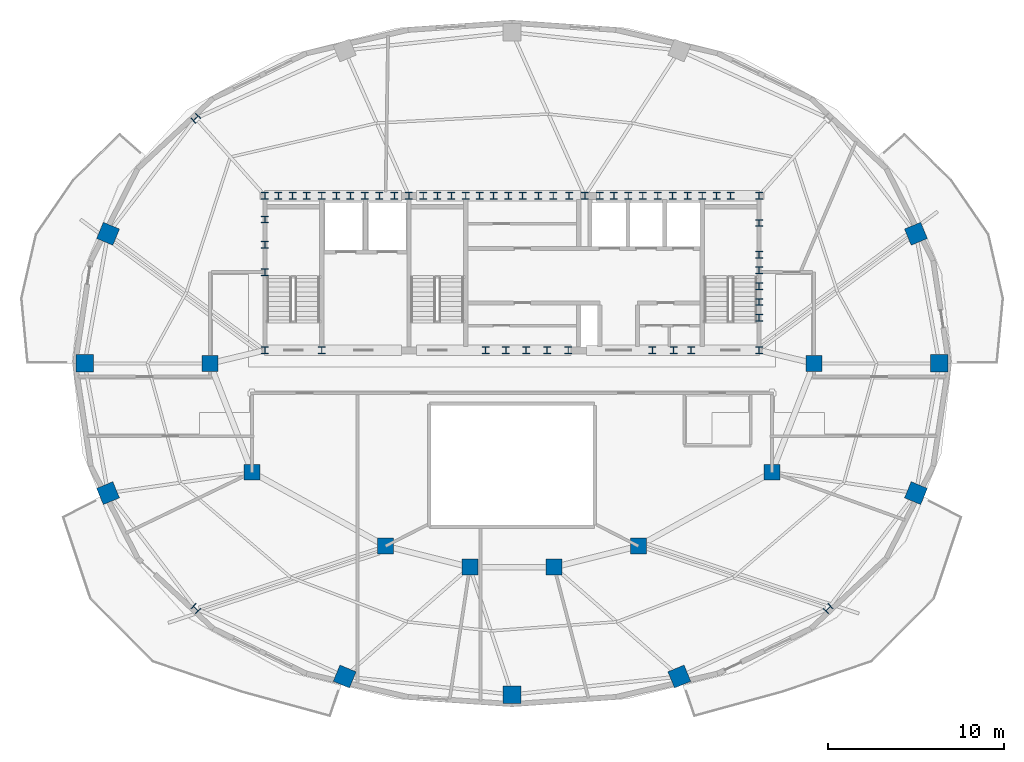
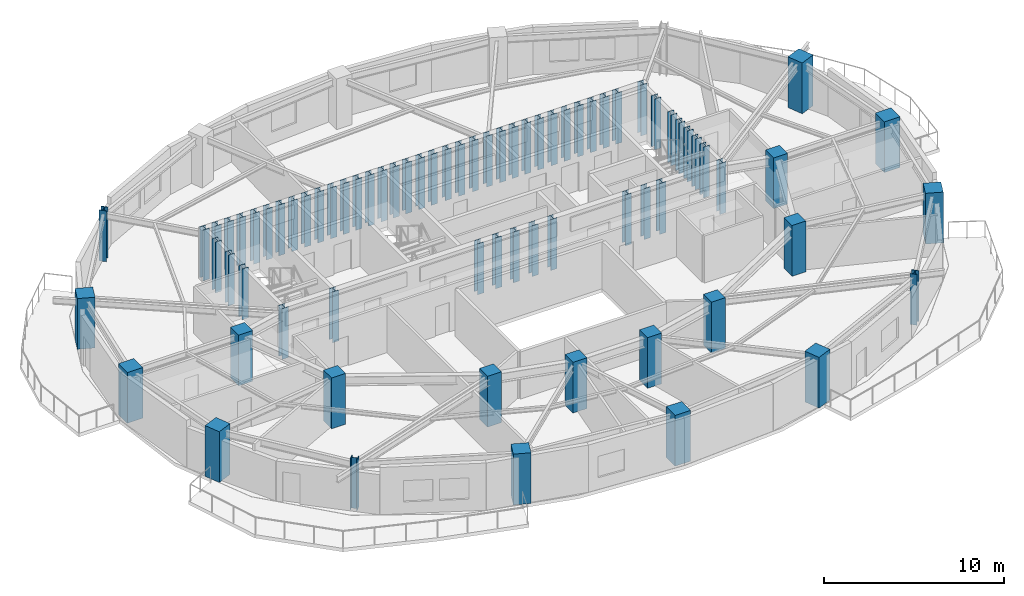
# One storey, part 1 of 10: 74 columns.
"""IFC4 building model written with IfcOpenShell, lengths in metres."""

from ifc_helpers import new_model, si_unit, direction, frame, origin, origin_2d, place, context, subcontext, project, spatial, rectangle, i_section, extrude, material, material_profile, profile_set, type_object, element, save


model = new_model("IFC4")

# Units and contexts
model_context = context("Model", 3, precision=1e-05, world=origin(), true_north=direction((0.0, 1.0)))
body_context = subcontext(model_context, "Body", "Model", "MODEL_VIEW")
ifc_project = project(units=[si_unit("LENGTHUNIT", "METRE"), si_unit("AREAUNIT", "SQUARE_METRE"), si_unit("VOLUMEUNIT", "CUBIC_METRE"), si_unit("PLANEANGLEUNIT", "RADIAN"), si_unit("MASSUNIT", "GRAM", prefix="KILO")], contexts=[model_context])

# Site, building, storey
site_placement = place(None, origin())
site = spatial("IfcSite", under=ifc_project, at=site_placement, CompositionType="ELEMENT")
building_placement = place(site_placement, origin())
building = spatial("IfcBuilding", under=site, at=building_placement, Name="Haldorwick Loom Tower", CompositionType="ELEMENT")
storey_placement = place(building_placement, frame((0.0, 0.0, 259.199951171875)))
storey = spatial("IfcBuildingStorey", under=building, at=storey_placement, Name="L70", CompositionType="ELEMENT", Elevation=259.199951171875)

# Columns
ifc_material_1 = material(Name="Concrete C60 (60 MPa)", Category="concrete")
ifc_material_profile_1 = material_profile(ifc_material_1, rectangle(XDim=1.0, YDim=1.0, at=origin_2d()), Name="RC1000X1000", Category="concrete")
ifc_profile_set_1 = profile_set([ifc_material_profile_1], Name="Concrete C60 (60 MPa)")
column_type_1 = type_object("IfcColumnType", Name="STR-COL-RC1000", PredefinedType="COLUMN", material=ifc_profile_set_1)
for number, where, z_axis, x_axis, name in (
    (1, (60.3369140625, 26.0, 0.0), (0.0, 0.0, 1.0), (1.0, 0.0, 0.0), "L70 Perimeter Pier Column P01"),
    (2, (59.004638671875, 33.3857421875, 0.0), (0.0, 0.0, 1.0), (0.923879532511, 0.382683432365, 0.0), "L70 Perimeter Pier Column P02"),
    (3, (12.995361328125, 33.3857421875, 0.0), (0.0, 0.0, 1.0), (-0.923879532511, 0.382683432365, 0.0), "L70 Perimeter Pier Column P08"),
    (4, (11.6630859375, 26.0, 0.0), (0.0, 0.0, 1.0), (-1.0, 0.0, 0.0), "L70 Perimeter Pier Column P09"),
    (5, (12.995361328125, 18.6142578125, 0.0), (0.0, 0.0, 1.0), (-0.923879532511, -0.382683432365, 0.0), "L70 Perimeter Pier Column P10"),
    (6, (26.47119140625, 8.169189453125, 0.0), (0.0, 0.0, 1.0), (-0.382683432365, -0.923879532511, 0.0), "L70 Perimeter Pier Column P12"),
    (7, (36.0, 7.139892578125, 0.0), (0.0, 0.0, 1.0), (0.0, -1.0, 0.0), "L70 Perimeter Pier Column P13"),
    (8, (45.52880859375, 8.169189453125, 0.0), (0.0, 0.0, 1.0), (0.382683432365, -0.923879532511, 0.0), "L70 Perimeter Pier Column P14"),
    (9, (59.004638671875, 18.6142578125, 0.0), (0.0, 0.0, 1.0), (0.923879532511, -0.382683432365, 0.0), "L70 Perimeter Pier Column P16"),
):
    element("IfcColumn", number, at=place(storey_placement, frame(where, z_axis=z_axis, x_axis=x_axis)), inside=storey, type_object=column_type_1, Name=name, PredefinedType="COLUMN", context=body_context, shape_type="SweptSolid", body=[
        extrude(rectangle(XDim=1.0, YDim=1.0, at=origin_2d()), origin(), (0.0, 0.0, 1.0), 3.449951171875),
    ])
ifc_material_2 = material(Name="Concrete C50 (50 MPa)", Category="concrete")
ifc_material_profile_2 = material_profile(ifc_material_2, rectangle(XDim=0.89990234375, YDim=0.89990234375, at=origin_2d()), Name="RC900X900", Category="concrete")
ifc_profile_set_2 = profile_set([ifc_material_profile_2], Name="Concrete C50 (50 MPa)")
column_type_2 = type_object("IfcColumnType", Name="STR-COL-RC900", PredefinedType="COLUMN", material=ifc_profile_set_2)
for number, where, z_axis, x_axis, name in (
    (10, (53.199951171875, 26.0, 0.0), (0.0, 0.0, 1.0), (1.0, 0.0, 0.0), "L70 Inner Column IC-01"),
    (11, (50.800048828125, 19.800048828125, 0.0), (0.0, 0.0, 1.0), (1.0, 0.0, 0.0), "L70 Inner Column IC-02"),
    (12, (43.199951171875, 15.60009765625, 0.0), (0.0, 0.0, 1.0), (1.0, 0.0, 0.0), "L70 Inner Column IC-03"),
    (13, (38.39990234375, 14.39990234375, 0.0), (0.0, 0.0, 1.0), (1.0, 0.0, 0.0), "L70 Inner Column IC-04"),
    (14, (33.60009765625, 14.39990234375, 0.0), (0.0, 0.0, 1.0), (1.0, 0.0, 0.0), "L70 Inner Column IC-05"),
    (15, (28.800048828125, 15.60009765625, 0.0), (0.0, 0.0, 1.0), (1.0, 0.0, 0.0), "L70 Inner Column IC-06"),
    (16, (21.199951171875, 19.800048828125, 0.0), (0.0, 0.0, 1.0), (1.0, 0.0, 0.0), "L70 Inner Column IC-07"),
    (17, (18.800048828125, 26.0, 0.0), (0.0, 0.0, 1.0), (1.0, 0.0, 0.0), "L70 Inner Column IC-08"),
):
    element("IfcColumn", number, at=place(storey_placement, frame(where, z_axis=z_axis, x_axis=x_axis)), inside=storey, type_object=column_type_2, Name=name, PredefinedType="COLUMN", context=body_context, shape_type="SweptSolid", body=[
        extrude(rectangle(XDim=0.89990234375, YDim=0.89990234375, at=origin_2d()), origin(), (0.0, 0.0, 1.0), 3.449951171875),
    ])
ifc_material_3 = material(Name="Steel CSA G40.21 350W", Category="steel")
ifc_material_profile_3 = material_profile(ifc_material_3, i_section(OverallWidth=0.39892578125, OverallDepth=0.39306640625, WebThickness=0.0185546875, FlangeThickness=0.029541015625, at=origin_2d()), Name="W360X287", Category="steel")
ifc_profile_set_3 = profile_set([ifc_material_profile_3], Name="Steel CSA G40.21 350W")
column_type_3 = type_object("IfcColumnType", Name="STR-COL-W360X287", PredefinedType="COLUMN", material=ifc_profile_set_3)
for number, where, z_axis, x_axis, name in (
    (18, (21.929931640625, 35.550048828125, 0.0), (0.0, 0.0, 1.0), (1.0, 0.0, 0.0), "L70 Core Pilaster CB-01"),
    (19, (23.5, 35.550048828125, 0.0), (0.0, 0.0, 1.0), (1.0, 0.0, 0.0), "L70 Core Pilaster CB-02"),
    (20, (25.169921875, 35.550048828125, 0.0), (0.0, 0.0, 1.0), (1.0, 0.0, 0.0), "L70 Core Pilaster CB-03"),
    (21, (26.800048828125, 35.550048828125, 0.0), (0.0, 0.0, 1.0), (1.0, 0.0, 0.0), "L70 Core Pilaster CB-04"),
    (22, (28.449951171875, 35.550048828125, 0.0), (0.0, 0.0, 1.0), (1.0, 0.0, 0.0), "L70 Core Pilaster CB-05"),
    (23, (30.1298828125, 35.550048828125, 0.0), (0.0, 0.0, 1.0), (1.0, 0.0, 0.0), "L70 Core Pilaster CB-06"),
    (24, (31.75, 35.550048828125, 0.0), (0.0, 0.0, 1.0), (1.0, 0.0, 0.0), "L70 Core Pilaster CB-07"),
    (25, (33.3701171875, 35.550048828125, 0.0), (0.0, 0.0, 1.0), (1.0, 0.0, 0.0), "L70 Core Pilaster CB-08"),
    (26, (34.949951171875, 35.550048828125, 0.0), (0.0, 0.0, 1.0), (1.0, 0.0, 0.0), "L70 Core Pilaster CB-09"),
    (27, (36.60009765625, 35.550048828125, 0.0), (0.0, 0.0, 1.0), (1.0, 0.0, 0.0), "L70 Core Pilaster CB-10"),
    (28, (38.35009765625, 35.550048828125, 0.0), (0.0, 0.0, 1.0), (1.0, 0.0, 0.0), "L70 Core Pilaster CB-11"),
    (29, (40.14990234375, 35.550048828125, 0.0), (0.0, 0.0, 1.0), (1.0, 0.0, 0.0), "L70 Core Pilaster CB-12"),
    (30, (41.800048828125, 35.550048828125, 0.0), (0.0, 0.0, 1.0), (1.0, 0.0, 0.0), "L70 Core Pilaster CB-13"),
    (31, (43.449951171875, 35.550048828125, 0.0), (0.0, 0.0, 1.0), (1.0, 0.0, 0.0), "L70 Core Pilaster CB-14"),
    (32, (45.14990234375, 35.550048828125, 0.0), (0.0, 0.0, 1.0), (1.0, 0.0, 0.0), "L70 Core Pilaster CB-15"),
    (33, (46.830078125, 35.550048828125, 0.0), (0.0, 0.0, 1.0), (1.0, 0.0, 0.0), "L70 Core Pilaster CB-16"),
    (34, (48.449951171875, 35.550048828125, 0.0), (0.0, 0.0, 1.0), (1.0, 0.0, 0.0), "L70 Core Pilaster CB-17"),
    (35, (50.070068359375, 35.550048828125, 0.0), (0.0, 0.0, 1.0), (1.0, 0.0, 0.0), "L70 Core Pilaster CB-18"),
    (36, (21.929931640625, 26.75, 0.0), (0.0, 0.0, 1.0), (1.0, 0.0, 0.0), "L70 Core Pilaster CB-19"),
    (37, (25.169921875, 26.75, 0.0), (0.0, 0.0, 1.0), (1.0, 0.0, 0.0), "L70 Core Pilaster CB-20"),
    (38, (34.5, 26.75, 0.0), (0.0, 0.0, 1.0), (1.0, 0.0, 0.0), "L70 Core Pilaster CB-21"),
    (39, (36.800048828125, 26.75, 0.0), (0.0, 0.0, 1.0), (1.0, 0.0, 0.0), "L70 Core Pilaster CB-22"),
    (40, (39.199951171875, 26.75, 0.0), (0.0, 0.0, 1.0), (1.0, 0.0, 0.0), "L70 Core Pilaster CB-23"),
    (41, (45.199951171875, 26.75, 0.0), (0.0, 0.0, 1.0), (1.0, 0.0, 0.0), "L70 Core Pilaster CB-24"),
    (42, (50.070068359375, 26.75, 0.0), (0.0, 0.0, 1.0), (1.0, 0.0, 0.0), "L70 Core Pilaster CB-25"),
    (43, (21.929931640625, 31.199951171875, 0.0), (0.0, 0.0, 1.0), (1.0, 0.0, 0.0), "L70 Core Pilaster CB-26"),
    (44, (21.929931640625, 32.75, 0.0), (0.0, 0.0, 1.0), (1.0, 0.0, 0.0), "L70 Core Pilaster CB-27"),
    (45, (21.929931640625, 34.199951171875, 0.0), (0.0, 0.0, 1.0), (1.0, 0.0, 0.0), "L70 Core Pilaster CB-28"),
    (46, (50.070068359375, 28.60009765625, 0.0), (0.0, 0.0, 1.0), (1.0, 0.0, 0.0), "L70 Core Pilaster CB-29"),
    (47, (50.070068359375, 30.39990234375, 0.0), (0.0, 0.0, 1.0), (1.0, 0.0, 0.0), "L70 Core Pilaster CB-30"),
    (48, (50.070068359375, 32.199951171875, 0.0), (0.0, 0.0, 1.0), (1.0, 0.0, 0.0), "L70 Core Pilaster CB-31"),
    (49, (50.070068359375, 34.0, 0.0), (0.0, 0.0, 1.0), (1.0, 0.0, 0.0), "L70 Core Pilaster CB-32"),
    (50, (22.699951171875, 35.550048828125, 0.0), (0.0, 0.0, 1.0), (1.0, 0.0, 0.0), "L70 Core Pilaster CB-33"),
    (51, (27.6201171875, 35.550048828125, 0.0), (0.0, 0.0, 1.0), (1.0, 0.0, 0.0), "L70 Core Pilaster CB-34"),
    (52, (32.550048828125, 35.550048828125, 0.0), (0.0, 0.0, 1.0), (1.0, 0.0, 0.0), "L70 Core Pilaster CB-35"),
    (53, (37.5, 35.550048828125, 0.0), (0.0, 0.0, 1.0), (1.0, 0.0, 0.0), "L70 Core Pilaster CB-36"),
    (54, (42.6201171875, 35.550048828125, 0.0), (0.0, 0.0, 1.0), (1.0, 0.0, 0.0), "L70 Core Pilaster CB-37"),
    (55, (47.64990234375, 35.550048828125, 0.0), (0.0, 0.0, 1.0), (1.0, 0.0, 0.0), "L70 Core Pilaster CB-38"),
    (56, (24.300048828125, 35.550048828125, 0.0), (0.0, 0.0, 1.0), (1.0, 0.0, 0.0), "L70 Core Pilaster CB-39"),
    (57, (26.0, 35.550048828125, 0.0), (0.0, 0.0, 1.0), (1.0, 0.0, 0.0), "L70 Core Pilaster CB-40"),
    (58, (29.300048828125, 35.550048828125, 0.0), (0.0, 0.0, 1.0), (1.0, 0.0, 0.0), "L70 Core Pilaster CB-41"),
    (59, (30.949951171875, 35.550048828125, 0.0), (0.0, 0.0, 1.0), (1.0, 0.0, 0.0), "L70 Core Pilaster CB-42"),
    (60, (34.14990234375, 35.550048828125, 0.0), (0.0, 0.0, 1.0), (1.0, 0.0, 0.0), "L70 Core Pilaster CB-43"),
    (61, (35.800048828125, 35.550048828125, 0.0), (0.0, 0.0, 1.0), (1.0, 0.0, 0.0), "L70 Core Pilaster CB-44"),
    (62, (39.25, 35.550048828125, 0.0), (0.0, 0.0, 1.0), (1.0, 0.0, 0.0), "L70 Core Pilaster CB-45"),
    (63, (41.0, 35.550048828125, 0.0), (0.0, 0.0, 1.0), (1.0, 0.0, 0.0), "L70 Core Pilaster CB-46"),
    (64, (44.300048828125, 35.550048828125, 0.0), (0.0, 0.0, 1.0), (1.0, 0.0, 0.0), "L70 Core Pilaster CB-47"),
    (65, (46.0, 35.550048828125, 0.0), (0.0, 0.0, 1.0), (1.0, 0.0, 0.0), "L70 Core Pilaster CB-48"),
    (66, (50.070068359375, 29.5, 0.0), (0.0, 0.0, 1.0), (1.0, 0.0, 0.0), "L70 Core Pilaster CB-49"),
    (67, (50.070068359375, 31.300048828125, 0.0), (0.0, 0.0, 1.0), (1.0, 0.0, 0.0), "L70 Core Pilaster CB-50"),
    (68, (35.64990234375, 26.75, 0.0), (0.0, 0.0, 1.0), (1.0, 0.0, 0.0), "L70 Core Pilaster CB-51"),
    (69, (38.0, 26.75, 0.0), (0.0, 0.0, 1.0), (1.0, 0.0, 0.0), "L70 Core Pilaster CB-52"),
    (70, (44.0, 26.75, 0.0), (0.0, 0.0, 1.0), (1.0, 0.0, 0.0), "L70 Core Pilaster CB-53"),
    (71, (46.199951171875, 26.75, 0.0), (0.0, 0.0, 1.0), (1.0, 0.0, 0.0), "L70 Core Pilaster CB-54"),
):
    element("IfcColumn", number, at=place(storey_placement, frame(where, z_axis=z_axis, x_axis=x_axis)), inside=storey, type_object=column_type_3, Name=name, PredefinedType="COLUMN", context=body_context, shape_type="SweptSolid", body=[
        extrude(i_section(OverallWidth=0.39892578125, OverallDepth=0.39306640625, WebThickness=0.0185546875, FlangeThickness=0.029541015625, at=origin_2d()), origin(), (0.0, 0.0, 1.0), 3.449951171875),
    ])
ifc_material_profile_4 = material_profile(ifc_material_3, i_section(OverallWidth=0.406005859375, OverallDepth=0.416015625, WebThickness=0.024169921875, FlangeThickness=0.03857421875, at=origin_2d()), Name="W360X382", Category="steel")
ifc_profile_set_4 = profile_set([ifc_material_profile_4], Name="Steel CSA G40.21 350W")
column_type_4 = type_object("IfcColumnType", Name="STR-COL-W360X382", PredefinedType="COLUMN", material=ifc_profile_set_4)
for number, where, z_axis, x_axis, name in (
    (72, (17.994873046875, 39.958251953125, 0.0), (0.0, 0.0, 1.0), (-0.707106781187, 0.707106781187, 0.0), "L70 Perimeter Pier Column P07"),
    (73, (17.994873046875, 12.041748046875, 0.0), (0.0, 0.0, 1.0), (-0.707106781187, -0.707106781187, 0.0), "L70 Perimeter Pier Column P11"),
    (74, (54.005126953125, 12.041748046875, 0.0), (0.0, 0.0, 1.0), (0.707106781187, -0.707106781187, 0.0), "L70 Perimeter Pier Column P15"),
):
    element("IfcColumn", number, at=place(storey_placement, frame(where, z_axis=z_axis, x_axis=x_axis)), inside=storey, type_object=column_type_4, Name=name, PredefinedType="COLUMN", context=body_context, shape_type="SweptSolid", body=[
        extrude(i_section(OverallWidth=0.406005859375, OverallDepth=0.416015625, WebThickness=0.024169921875, FlangeThickness=0.03857421875, at=origin_2d()), origin(), (0.0, 0.0, 1.0), 3.449951171875),
    ])

save(model, "model.ifc")
